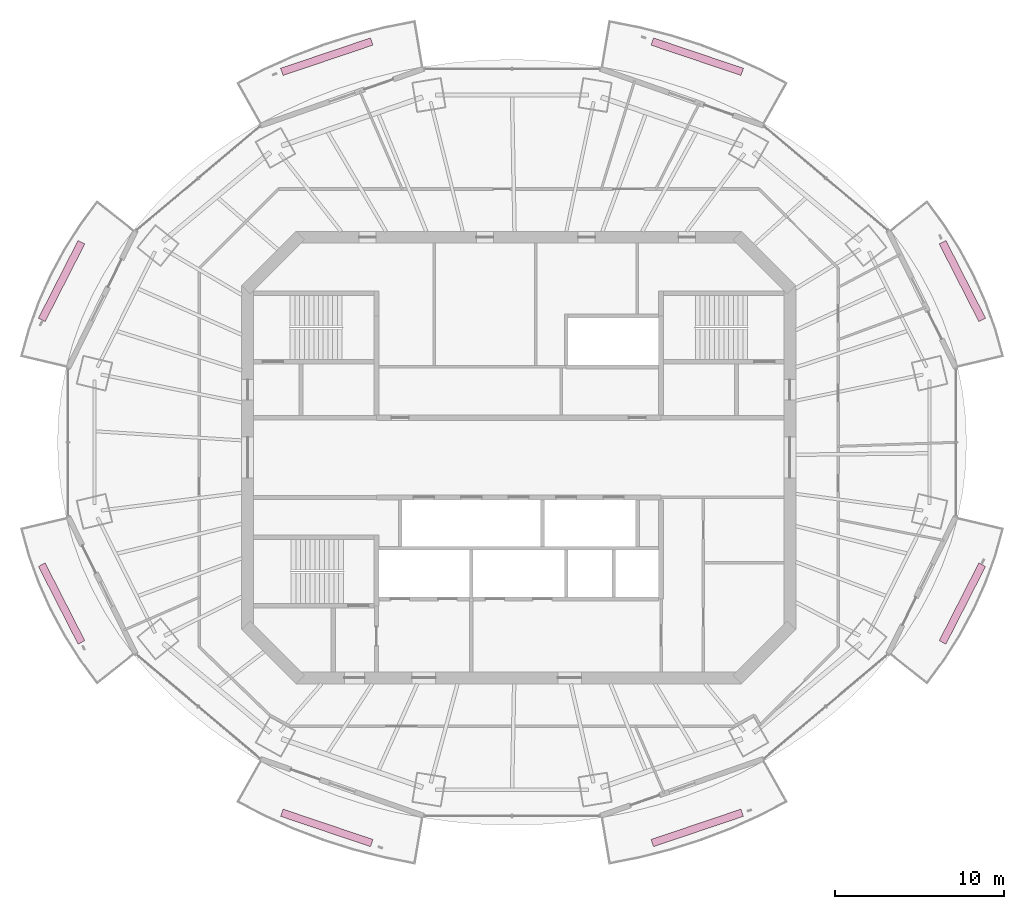
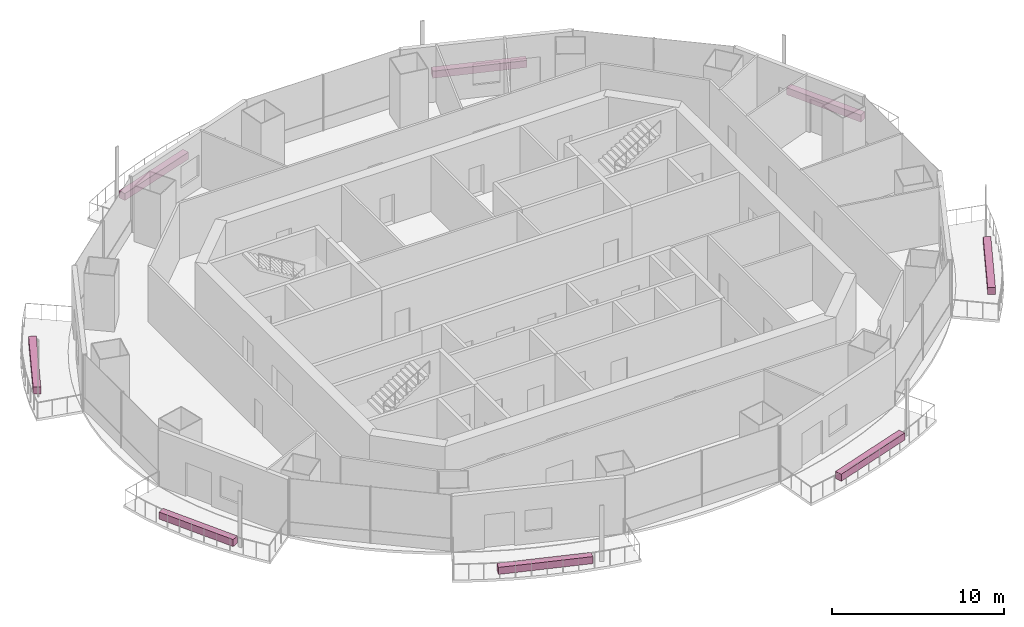
# One storey, part 16 of 16: 8 furnishings.
"""IFC4 building model written with IfcOpenShell, lengths in metres."""

from ifc_helpers import new_model, si_unit, direction, frame, origin, origin_2d, place, context, subcontext, project, spatial, rectangle, extrude, material, type_object, element, save


model = new_model("IFC4")

# Units and contexts
model_context = context("Model", 3, precision=1e-05, world=origin(), true_north=direction((0.0, 1.0)))
body_context = subcontext(model_context, "Body", "Model", "MODEL_VIEW")
ifc_project = project(units=[si_unit("LENGTHUNIT", "METRE"), si_unit("AREAUNIT", "SQUARE_METRE"), si_unit("VOLUMEUNIT", "CUBIC_METRE"), si_unit("PLANEANGLEUNIT", "RADIAN"), si_unit("MASSUNIT", "GRAM", prefix="KILO")], contexts=[model_context])

# Site, building, storey
site_placement = place(None, origin())
site = spatial("IfcSite", under=ifc_project, at=site_placement, CompositionType="ELEMENT")
building_placement = place(site_placement, origin())
building = spatial("IfcBuilding", under=site, at=building_placement, Name="Marenthal Gate Tower", CompositionType="ELEMENT")
storey_placement = place(building_placement, frame((0.0, 0.0, 346.75)))
storey = spatial("IfcBuildingStorey", under=building, at=storey_placement, Name="L78", CompositionType="ELEMENT", Elevation=346.75)

# Furnishings
ifc_material = material(Name="Planting soil and foliage", Category="planting")
furnishing_element_type = type_object("IfcFurnishingElementType", Name="Balcony PLANTER trough", material=ifc_material)
furnishing_1_placement = place(storey_placement, frame((26.180419921875, 10.416748046875, -0.0400390625), z_axis=(0.0, 0.0, 1.0), x_axis=(-0.45454605813, 0.890723234814, 0.0)))
element("IfcFurnishingElement", 1, at=furnishing_1_placement, inside=storey, type_object=furnishing_element_type, Name="Balcony PLANTER L78 bay 1", ObjectType="PLANTER", context=body_context, shape_type="SweptSolid", body=[
    extrude(rectangle(XDim=5.14794921875, YDim=0.449951171875, at=origin_2d()), origin(), (0.0, 0.0, 1.0), 0.5),
])
for number, where, z_axis, x_axis, name in (
    (2, (10.53125, 23.656982421875, -0.0400390625), (0.0, 0.0, 1.0), (-0.947495207309, 0.319769967518, 0.0), "Balcony PLANTER L78 bay 3"),
    (3, (-11.3310546875, 23.656982421875, -0.0400390625), (0.0, 0.0, 1.0), (-0.947495207309, -0.319769967518, 0.0), "Balcony PLANTER L78 bay 5"),
):
    element("IfcFurnishingElement", number, at=place(storey_placement, frame(where, z_axis=z_axis, x_axis=x_axis)), inside=storey, type_object=furnishing_element_type, Name=name, ObjectType="PLANTER", context=body_context, shape_type="SweptSolid", body=[
        extrude(rectangle(XDim=5.60400390625, YDim=0.449951171875, at=origin_2d()), origin(), (0.0, 0.0, 1.0), 0.5),
    ])
for number, where, z_axis, x_axis, name in (
    (4, (-26.98046875, 10.416748046875, -0.0400390625), (0.0, 0.0, 1.0), (-0.45454605813, -0.890723234814, 0.0), "Balcony PLANTER L78 bay 7"),
    (5, (-26.98046875, -8.616943359375, -0.0400390625), (0.0, 0.0, 1.0), (0.45454605813, -0.890723234814, 0.0), "Balcony PLANTER L78 bay 9"),
):
    element("IfcFurnishingElement", number, at=place(storey_placement, frame(where, z_axis=z_axis, x_axis=x_axis)), inside=storey, type_object=furnishing_element_type, Name=name, ObjectType="PLANTER", context=body_context, shape_type="SweptSolid", body=[
        extrude(rectangle(XDim=5.14794921875, YDim=0.449951171875, at=origin_2d()), origin(), (0.0, 0.0, 1.0), 0.5),
    ])
for number, where, z_axis, x_axis, name in (
    (6, (-11.3310546875, -21.85693359375, -0.0400390625), (0.0, 0.0, 1.0), (0.947495207309, -0.319769967518, 0.0), "Balcony PLANTER L78 bay 11"),
    (7, (10.53125, -21.85693359375, -0.0400390625), (0.0, 0.0, 1.0), (0.947495207309, 0.319769967518, 0.0), "Balcony PLANTER L78 bay 13"),
):
    element("IfcFurnishingElement", number, at=place(storey_placement, frame(where, z_axis=z_axis, x_axis=x_axis)), inside=storey, type_object=furnishing_element_type, Name=name, ObjectType="PLANTER", context=body_context, shape_type="SweptSolid", body=[
        extrude(rectangle(XDim=5.60400390625, YDim=0.449951171875, at=origin_2d()), origin(), (0.0, 0.0, 1.0), 0.5),
    ])
furnishing_2_placement = place(storey_placement, frame((26.180419921875, -8.616943359375, -0.0400390625), z_axis=(0.0, 0.0, 1.0), x_axis=(0.45454605813, 0.890723234814, 0.0)))
element("IfcFurnishingElement", 8, at=furnishing_2_placement, inside=storey, type_object=furnishing_element_type, Name="Balcony PLANTER L78 bay 15", ObjectType="PLANTER", context=body_context, shape_type="SweptSolid", body=[
    extrude(rectangle(XDim=5.14794921875, YDim=0.449951171875, at=origin_2d()), origin(), (0.0, 0.0, 1.0), 0.5),
])

save(model, "model.ifc")
